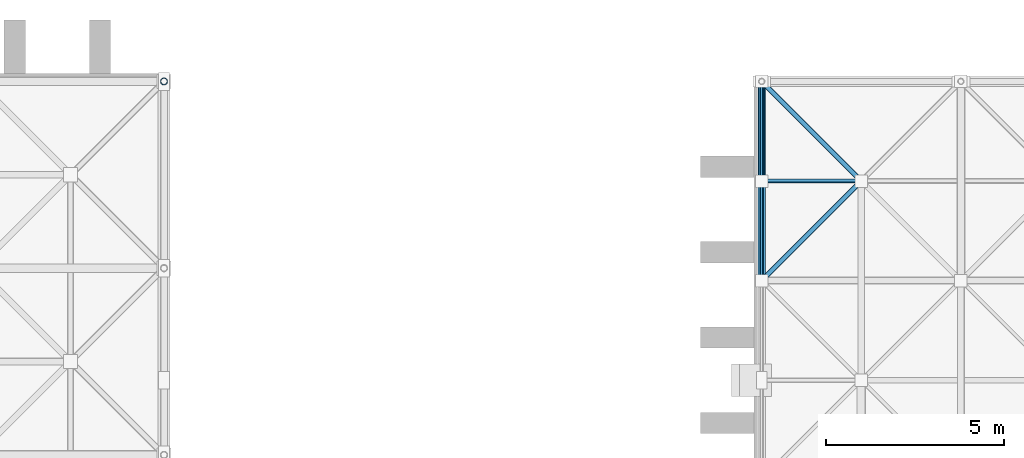
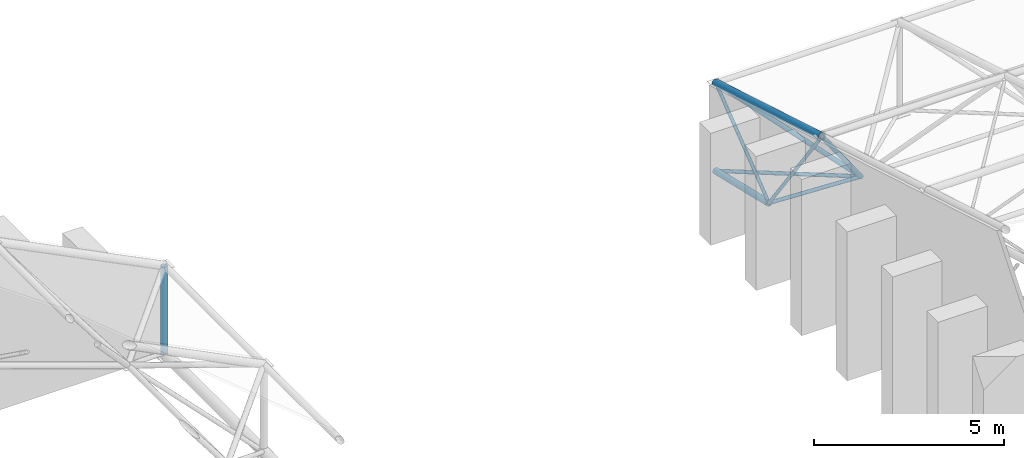
# One storey, part 30 of 100: 9 members.
"""IFC4 building model written with IfcOpenShell, lengths in metres."""

from ifc_helpers import new_model, si_unit, direction, frame, origin, origin_2d, place, context, subcontext, project, spatial, hollow_circle, extrude, material, material_profile, profile_set, type_object, element, save


model = new_model("IFC4")

# Units and contexts
model_context = context("Model", 3, precision=1e-05, world=origin(), true_north=direction((0.0, 1.0)))
body_context = subcontext(model_context, "Body", "Model", "MODEL_VIEW")
ifc_project = project(units=[si_unit("LENGTHUNIT", "METRE"), si_unit("AREAUNIT", "SQUARE_METRE"), si_unit("VOLUMEUNIT", "CUBIC_METRE"), si_unit("PLANEANGLEUNIT", "RADIAN"), si_unit("MASSUNIT", "GRAM", prefix="KILO")], contexts=[model_context])

# Site, building, storey
site_placement = place(None, origin())
site = spatial("IfcSite", under=ifc_project, at=site_placement, CompositionType="ELEMENT")
building_placement = place(site_placement, origin())
building = spatial("IfcBuilding", under=site, at=building_placement, Name="Kiln Court Media Centre", CompositionType="ELEMENT")
storey_placement = place(building_placement, frame((0.0, 0.0, 15.0)))
storey = spatial("IfcBuildingStorey", under=building, at=storey_placement, Name="L03", CompositionType="ELEMENT", Elevation=15.0)

# Members
ifc_material_1 = material(Name="Steel ASTM A500 Gr C", Category="steel")
ifc_material_profile_1 = material_profile(ifc_material_1, hollow_circle(Radius=0.05078125, WallThickness=0.0048828125, at=origin_2d()), Name="CHS 101.6x5.0")
ifc_profile_set_1 = profile_set([ifc_material_profile_1], Name="Steel ASTM A500 Gr C")
member_type_1 = type_object("IfcMemberType", Name="Steel ASTM A500 Gr C CHS 101.6x5.0 space frame brace", PredefinedType="BRACE", material=ifc_profile_set_1)
member_1_placement = place(storey_placement, frame((117.60009765625, 64.39990234375, 0.828125), z_axis=(0.0, -0.589283279785, 0.807926491808), x_axis=(1.0, 0.0, 0.0)))
element("IfcMember", 1, at=member_1_placement, inside=storey, type_object=member_type_1, Name="V2 roof gable diagonal west 6 space frame brace", PredefinedType="BRACE", context=body_context, shape_type="SweptSolid", body=[
    extrude(hollow_circle(Radius=0.05078125, WallThickness=0.0048828125, at=origin_2d()), origin(), (0.0, 0.0, 1.0), 4.751220703125),
])
member_2_placement = place(storey_placement, frame((117.60009765625, 64.39990234375, 0.828125), z_axis=(0.0, 0.790163964683, 0.612895512234), x_axis=(-1.0, 0.0, 0.0)))
element("IfcMember", 2, at=member_2_placement, inside=storey, type_object=member_type_1, Name="V2 roof gable diagonal west 6 space frame brace", PredefinedType="BRACE", context=body_context, shape_type="SweptSolid", body=[
    extrude(hollow_circle(Radius=0.05078125, WallThickness=0.0048828125, at=origin_2d()), origin(), (0.0, 0.0, 1.0), 3.543701171875),
])
ifc_material_2 = material(Name="Steel ASTM A500 Gr C", Category="steel")
ifc_material_profile_2 = material_profile(ifc_material_2, hollow_circle(Radius=0.05712890625, WallThickness=0.0048828125, at=origin_2d()), Name="CHS 114.3x5.0")
ifc_profile_set_2 = profile_set([ifc_material_profile_2], Name="Steel ASTM A500 Gr C")
member_type_2 = type_object("IfcMemberType", Name="Steel ASTM A500 Gr C CHS 114.3x5.0 space frame brace", PredefinedType="BRACE", material=ifc_profile_set_2)
member_3_placement = place(storey_placement, frame((117.60009765625, 67.199951171875, 0.16455078125), z_axis=(0.700619159519, -0.700680252923, 0.134833143099), x_axis=(0.70713760873, 0.707075952299, 0.0)))
element("IfcMember", 3, at=member_3_placement, inside=storey, type_object=member_type_2, Name="V2 roof bearing tie last 1 space frame brace", PredefinedType="BRACE", context=body_context, shape_type="SweptSolid", body=[
    extrude(hollow_circle(Radius=0.05712890625, WallThickness=0.0048828125, at=origin_2d()), origin(), (0.0, 0.0, 1.0), 3.99609375),
])
member_4_placement = place(storey_placement, frame((117.60009765625, 64.39990234375, 0.828125), z_axis=(0.999008733772, 0.0, -0.04451460263), x_axis=(0.0, 1.0, 0.0)))
element("IfcMember", 4, at=member_4_placement, inside=storey, type_object=member_type_2, Name="V2 roof gable tie west 6 space frame brace", PredefinedType="BRACE", context=body_context, shape_type="SweptSolid", body=[
    extrude(hollow_circle(Radius=0.05712890625, WallThickness=0.0048828125, at=origin_2d()), origin(), (0.0, 0.0, 1.0), 2.802490234375),
])
ifc_material_3 = material(Name="Steel ASTM A500 Gr C", Category="steel")
ifc_material_profile_3 = material_profile(ifc_material_3, hollow_circle(Radius=0.06982421875, WallThickness=0.0048828125, at=origin_2d()), Name="CHS 139.7x5.0")
ifc_profile_set_3 = profile_set([ifc_material_profile_3], Name="Steel ASTM A500 Gr C")
member_type_3 = type_object("IfcMemberType", Name="Steel ASTM A500 Gr C CHS 139.7x5.0 space frame brace", PredefinedType="BRACE", material=ifc_profile_set_3)
member_5_placement = place(storey_placement, frame((120.39990234375, 64.39990234375, 0.703369140625), z_axis=(-0.499756523287, -0.499756523287, 0.707450941667), x_axis=(0.707106781187, -0.707106781187, 0.0)))
element("IfcMember", 5, at=member_5_placement, inside=storey, type_object=member_type_3, Name="V2 roof diagonal 6-1 space frame brace", PredefinedType="BRACE", context=body_context, shape_type="SweptSolid", body=[
    extrude(hollow_circle(Radius=0.06982421875, WallThickness=0.0048828125, at=origin_2d()), origin(), (0.0, 0.0, 1.0), 5.602294921875),
])
member_6_placement = place(storey_placement, frame((120.39990234375, 64.39990234375, 0.703369140625), z_axis=(-0.611642208339, 0.611695543028, 0.501719415229), x_axis=(-0.70713760873, -0.707075952299, 0.0)))
element("IfcMember", 6, at=member_6_placement, inside=storey, type_object=member_type_3, Name="V2 roof diagonal 6-1 space frame brace", PredefinedType="BRACE", context=body_context, shape_type="SweptSolid", body=[
    extrude(hollow_circle(Radius=0.06982421875, WallThickness=0.0048828125, at=origin_2d()), origin(), (0.0, 0.0, 1.0), 4.57763671875),
])
ifc_material_4 = material(Name="Steel ASTM A500 Gr C", Category="steel")
ifc_material_profile_4 = material_profile(ifc_material_4, hollow_circle(Radius=0.096923828125, WallThickness=0.008056640625, at=origin_2d()), Name="CHS 193.7x8.0")
ifc_profile_set_4 = profile_set([ifc_material_profile_4], Name="Steel ASTM A500 Gr C")
member_type_4 = type_object("IfcMemberType", Name="Steel ASTM A500 Gr C CHS 193.7x8.0 space frame chord", PredefinedType="CHORD", material=ifc_profile_set_4)
member_7_placement = place(storey_placement, frame((117.60009765625, 64.39990234375, 0.828125), z_axis=(0.0, 0.973048733976, -0.230599569182), x_axis=(-1.0, 0.0, 0.0)))
element("IfcMember", 7, at=member_7_placement, inside=storey, type_object=member_type_4, Name="V2 roof gable bottom chord west space frame chord", PredefinedType="CHORD", context=body_context, shape_type="SweptSolid", body=[
    extrude(hollow_circle(Radius=0.096923828125, WallThickness=0.008056640625, at=origin_2d()), origin(), (0.0, 0.0, 1.0), 2.877685546875),
])
ifc_material_5 = material(Name="Steel ASTM A500 Gr C", Category="steel")
ifc_material_profile_5 = material_profile(ifc_material_5, hollow_circle(Radius=0.096923828125, WallThickness=0.008056640625, at=origin_2d()), Name="CHS 193.7x8.0")
ifc_profile_set_5 = profile_set([ifc_material_profile_5], Name="Steel ASTM A500 Gr C")
member_type_5 = type_object("IfcMemberType", Name="Steel ASTM A500 Gr C CHS 193.7x8.0 space frame strut", PredefinedType="STRUT", material=ifc_profile_set_5)
member_8_placement = place(storey_placement, frame((100.800048828125, 67.199951171875, 0.18994140625), z_axis=(0.0, 0.0, 1.0), x_axis=(1.0, 0.0, 0.0)))
element("IfcMember", 8, at=member_8_placement, inside=storey, type_object=member_type_5, Name="V1 roof bearing post last 9 space frame strut", PredefinedType="STRUT", context=body_context, shape_type="SweptSolid", body=[
    extrude(hollow_circle(Radius=0.096923828125, WallThickness=0.008056640625, at=origin_2d()), origin(), (0.0, 0.0, 1.0), 2.81005859375),
])
ifc_material_6 = material(Name="Steel ASTM A500 Gr C", Category="steel")
ifc_material_profile_6 = material_profile(ifc_material_6, hollow_circle(Radius=0.109619140625, WallThickness=0.008056640625, at=origin_2d()), Name="CHS 219.1x8.0")
ifc_profile_set_6 = profile_set([ifc_material_profile_6], Name="Steel ASTM A500 Gr C")
member_type_6 = type_object("IfcMemberType", Name="Steel ASTM A500 Gr C CHS 219.1x8.0 space frame chord", PredefinedType="CHORD", material=ifc_profile_set_6)
member_9_placement = place(storey_placement, frame((117.60009765625, 61.60009765625, 4.666748046875), z_axis=(0.0, 0.958446230045, -0.285273244649), x_axis=(-1.0, 0.0, 0.0)))
element("IfcMember", 9, at=member_9_placement, inside=storey, type_object=member_type_6, Name="V2 roof top chord across line 1 space frame chord", PredefinedType="CHORD", context=body_context, shape_type="SweptSolid", body=[
    extrude(hollow_circle(Radius=0.109619140625, WallThickness=0.008056640625, at=origin_2d()), origin(), (0.0, 0.0, 1.0), 5.842529296875),
])

save(model, "model.ifc")
